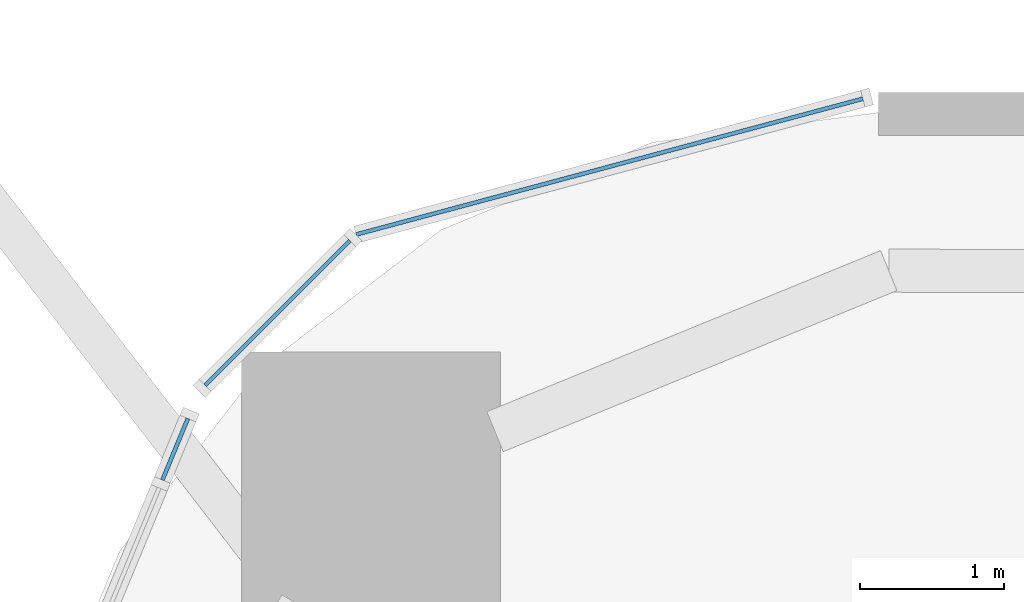
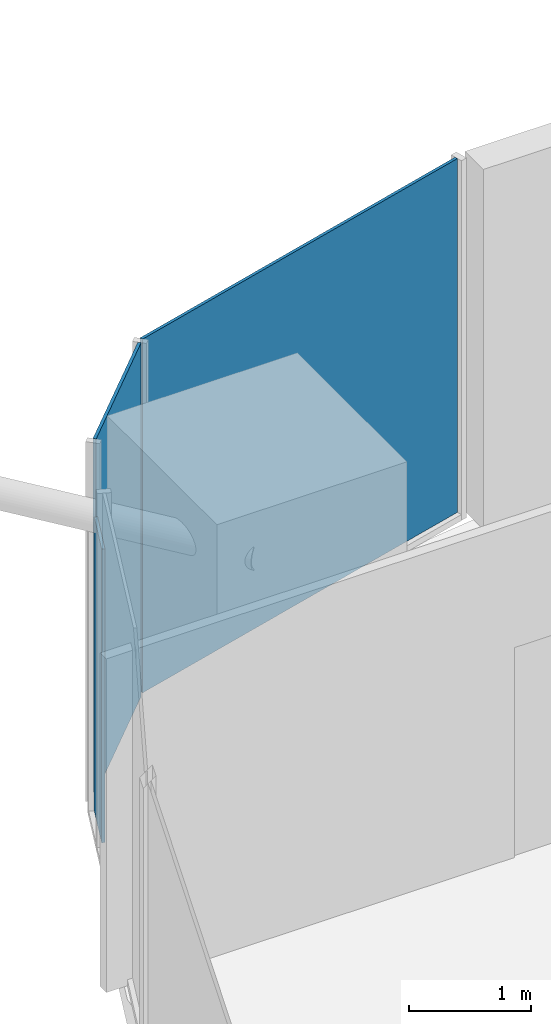
# One storey, part 22 of 34: 3 plates, 3 elements without a shape of their own.
"""IFC4 building model written with IfcOpenShell, lengths in metres."""

from ifc_helpers import new_model, si_unit, direction, frame, origin, origin_2d, place, context, subcontext, project, spatial, rectangle, extrude, material, layer, layer_set, type_object, element, aggregate, save


model = new_model("IFC4")

# Units and contexts
model_context = context("Model", 3, precision=1e-05, world=origin(), true_north=direction((0.0, 1.0)))
body_context = subcontext(model_context, "Body", "Model", "MODEL_VIEW")
ifc_project = project(units=[si_unit("LENGTHUNIT", "METRE"), si_unit("AREAUNIT", "SQUARE_METRE"), si_unit("VOLUMEUNIT", "CUBIC_METRE"), si_unit("PLANEANGLEUNIT", "RADIAN"), si_unit("MASSUNIT", "GRAM", prefix="KILO")], contexts=[model_context])

# Site, building, storey
site_placement = place(None, origin())
site = spatial("IfcSite", under=ifc_project, at=site_placement, CompositionType="ELEMENT")
building_placement = place(site_placement, origin())
building = spatial("IfcBuilding", under=site, at=building_placement, Name="Marenta Gate Hotel Tower", CompositionType="ELEMENT")
storey_placement = place(building_placement, frame((0.0, 0.0, 76.10009765625)))
storey = spatial("IfcBuildingStorey", under=building, at=storey_placement, Name="L17", CompositionType="ELEMENT", Elevation=76.10009765625)

# Curtain wall, plate
ifc_material_1 = material(Name="Tinted insulated glass in bronze anodised frame", Category="glass")
ifc_layer_1 = layer(ifc_material_1, 0.1201171875)
ifc_layer_set_1 = layer_set([ifc_layer_1], Name="Tinted insulated glass in bronze anodised frame")
curtain_wall_type = type_object("IfcCurtainWallType", Name="Tower unitised curtain wall CW1", PredefinedType="NOTDEFINED", material=ifc_layer_set_1)
curtain_wall_1_placement = place(storey_placement, origin())
curtain_wall_1 = element("IfcCurtainWall", 1, at=curtain_wall_1_placement, inside=storey, type_object=curtain_wall_type, Name="CW1 run G00", PredefinedType="NOTDEFINED")
ifc_material_2 = material(Name="Tinted insulated glass", Category="glass")
ifc_layer_2 = layer(ifc_material_2, 0.028076171875)
ifc_layer_set_2 = layer_set([ifc_layer_2], Name="Tinted insulated glass")
plate_type = type_object("IfcPlateType", Name="Glass panel CW1 28 mm tinted insulated unit", PredefinedType="CURTAIN_PANEL", material=ifc_layer_set_2)
plate_1_placement = place(storey_placement, frame((-25.277099609375, 33.3232421875, 0.059814453125), z_axis=(0.0, 0.0, 1.0), x_axis=(-0.965930485164, -0.258801657317, 0.0)))
plate_1 = element("IfcPlate", 2, at=plate_1_placement, type_object=plate_type, Name="CW1 panel 1.1", PredefinedType="CURTAIN_PANEL", context=body_context, shape_type="SweptSolid", body=[
    extrude(rectangle(XDim=3.64990234375, YDim=0.028076171875, at=origin_2d()), origin(), (0.0, 0.0, 1.0), 3.5400390625),
])
aggregate(curtain_wall_1, [plate_1])

curtain_wall_2_placement = place(storey_placement, origin())
curtain_wall_2 = element("IfcCurtainWall", 3, at=curtain_wall_2_placement, inside=storey, type_object=curtain_wall_type, Name="CW1 run G01", PredefinedType="NOTDEFINED")
plate_2_placement = place(storey_placement, frame((-27.58544921875, 32.305419921875, 0.059814453125), z_axis=(0.0, 0.0, 1.0), x_axis=(-0.707106781187, -0.707106781187, 0.0)))
plate_2 = element("IfcPlate", 4, at=plate_2_placement, type_object=plate_type, Name="CW1 panel 1.1", PredefinedType="CURTAIN_PANEL", context=body_context, shape_type="SweptSolid", body=[
    extrude(rectangle(XDim=1.4228515625, YDim=0.028076171875, at=origin_2d()), origin(), (0.0, 0.0, 1.0), 3.5400390625),
])
aggregate(curtain_wall_2, [plate_2])

curtain_wall_3_placement = place(storey_placement, origin())
curtain_wall_3 = element("IfcCurtainWall", 5, at=curtain_wall_3_placement, inside=storey, type_object=curtain_wall_type, Name="CW1 run G02", PredefinedType="NOTDEFINED")
plate_3_placement = place(storey_placement, frame((-28.29736328125, 31.35791015625, 0.059814453125), z_axis=(0.0, 0.0, 1.0), x_axis=(-0.382684306245, -0.923879170538, 0.0)))
plate_3 = element("IfcPlate", 6, at=plate_3_placement, type_object=plate_type, Name="CW1 panel 1.1", PredefinedType="CURTAIN_PANEL", context=body_context, shape_type="SweptSolid", body=[
    extrude(rectangle(XDim=0.46240234375, YDim=0.028076171875, at=origin_2d()), origin(), (0.0, 0.0, 1.0), 2.9404296875),
])
aggregate(curtain_wall_3, [plate_3])

save(model, "model.ifc")
